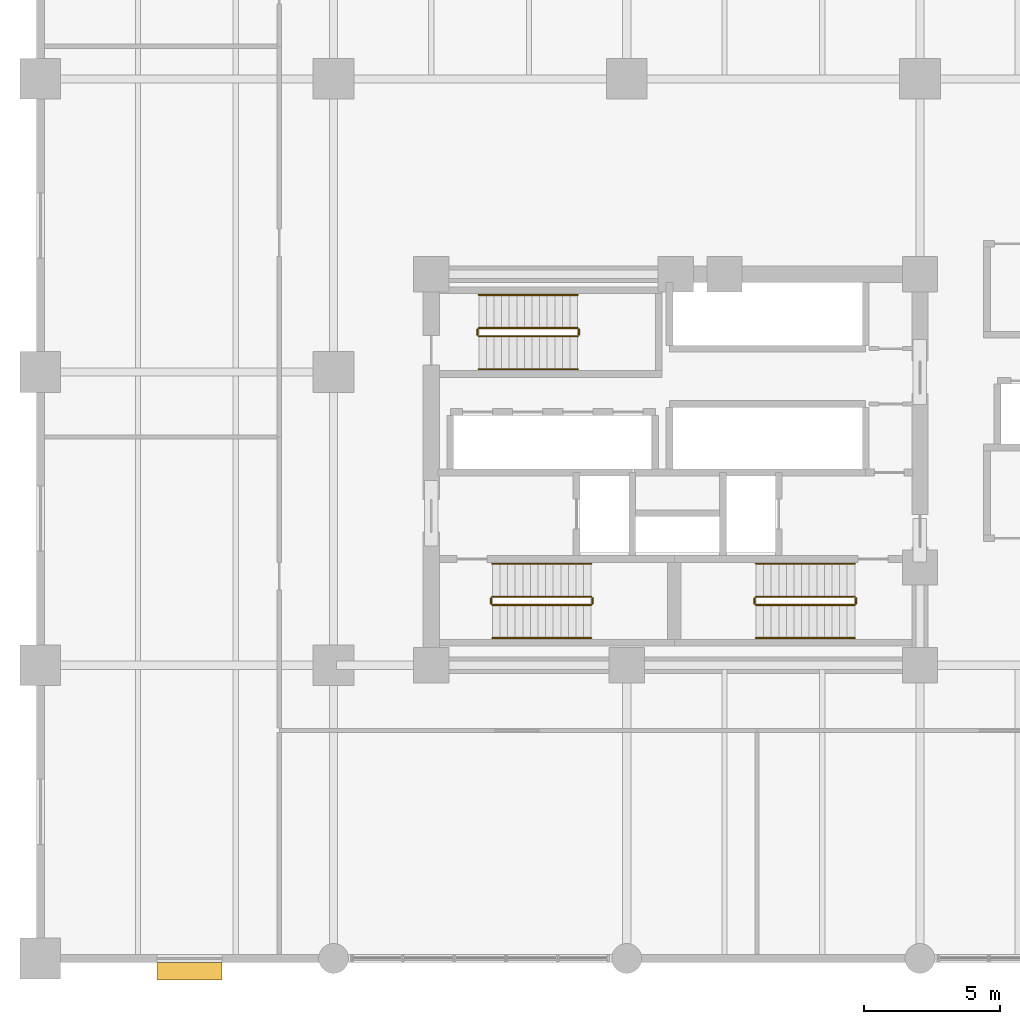
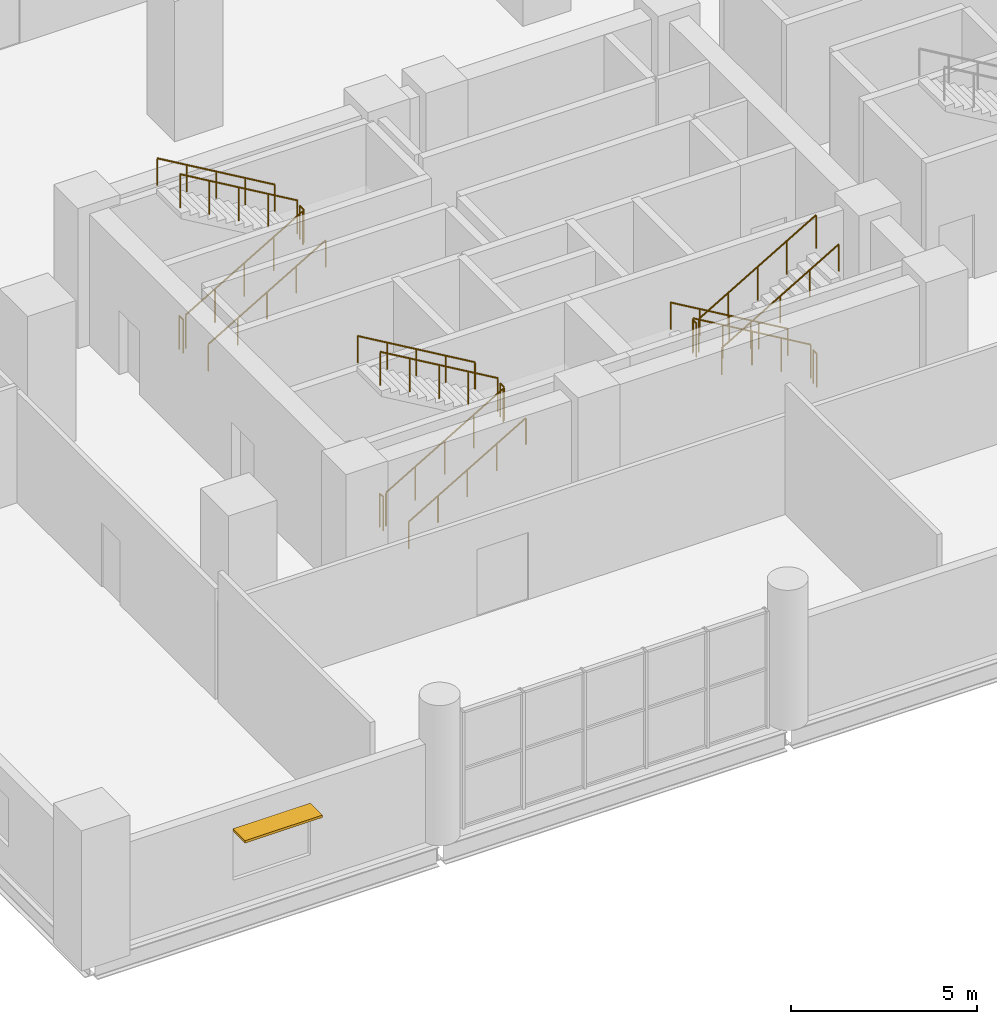
# One storey, part 14 of 16: 18 railings, 1 shading device.
"""IFC4 building model written with IfcOpenShell, lengths in metres."""

from ifc_helpers import new_model, si_unit, direction, frame, origin, origin_2d, place, context, subcontext, project, spatial, rectangle, circle, extrude, material, layer, layer_set, type_object, element, save


model = new_model("IFC4")

# Units and contexts
model_context = context("Model", 3, precision=1e-05, world=origin(), true_north=direction((0.0, 1.0)))
body_context = subcontext(model_context, "Body", "Model", "MODEL_VIEW")
ifc_project = project(units=[si_unit("LENGTHUNIT", "METRE"), si_unit("AREAUNIT", "SQUARE_METRE"), si_unit("VOLUMEUNIT", "CUBIC_METRE"), si_unit("PLANEANGLEUNIT", "RADIAN"), si_unit("MASSUNIT", "GRAM", prefix="KILO")], contexts=[model_context])

# Site, building, storey
site_placement = place(None, origin())
site = spatial("IfcSite", under=ifc_project, at=site_placement, CompositionType="ELEMENT")
building_placement = place(site_placement, origin())
building = spatial("IfcBuilding", under=site, at=building_placement, Name="Solnavia Interchange Tower", CompositionType="ELEMENT")
storey_placement = place(building_placement, frame((0.0, 0.0, 10.199951171875)))
storey = spatial("IfcBuildingStorey", under=building, at=storey_placement, Name="L02", CompositionType="ELEMENT", Elevation=10.199951171875)

# Railings
ifc_material_1 = material(Name="Painted Steel Balustrade", Category="steel")
railing_type_1 = type_object("IfcRailingType", Name="Railing-StairGuard-1100", PredefinedType="GUARDRAIL", material=ifc_material_1)
railing_1_placement = place(storey_placement, frame((16.64990234375, 13.02001953125, 0.164306640625)))
element("IfcRailing", 1, at=railing_1_placement, inside=storey, type_object=railing_type_1, Name="L02 ST-1 stair guard 1", PredefinedType="GUARDRAIL", context=body_context, shape_type="SweptSolid", body=[
    extrude(circle(Radius=0.02392578125, at=origin_2d()), frame((0.0, 0.0, 1.09619140625), z_axis=(0.862504707072, 0.0, 0.506049039401), x_axis=(0.0, 1.0, 0.0)), (0.0, 0.0, 1.0), 4.220458984375),
    extrude(circle(Radius=0.02099609375, at=origin_2d()), origin(), (0.0, 0.0, 1.0), 1.072021484375),
    extrude(circle(Radius=0.02099609375, at=origin_2d()), frame((0.91015625, 0.0, 0.533935546875)), (0.0, 0.0, 1.0), 1.072021484375),
    extrude(circle(Radius=0.02099609375, at=origin_2d()), frame((1.820068359375, 0.0, 1.06787109375)), (0.0, 0.0, 1.0), 1.072021484375),
    extrude(circle(Radius=0.02099609375, at=origin_2d()), frame((2.72998046875, 0.0, 1.601806640625)), (0.0, 0.0, 1.0), 1.072021484375),
    extrude(circle(Radius=0.02099609375, at=origin_2d()), frame((3.64013671875, 0.0, 2.1357421875)), (0.0, 0.0, 1.0), 1.072021484375),
])
railing_2_placement = place(storey_placement, frame((20.340087890625, 13.070068359375, 2.300048828125)))
element("IfcRailing", 2, at=railing_2_placement, inside=storey, type_object=railing_type_1, Name="L02 ST-1 stair guard 2", PredefinedType="GUARDRAIL", context=body_context, shape_type="SweptSolid", body=[
    extrude(circle(Radius=0.02392578125, at=origin_2d()), frame((0.0, 0.0, 1.09619140625), z_axis=(0.0, 1.0, 0.0), x_axis=(-1.0, 0.0, 0.0)), (0.0, 0.0, 1.0), 0.199951171875),
    extrude(circle(Radius=0.02099609375, at=origin_2d()), origin(), (0.0, 0.0, 1.0), 1.072021484375),
    extrude(circle(Radius=0.02099609375, at=origin_2d()), frame((0.0, 0.199951171875, 0.0)), (0.0, 0.0, 1.0), 1.072021484375),
])
railing_3_placement = place(storey_placement, frame((20.2900390625, 13.320068359375, 2.46435546875)))
element("IfcRailing", 3, at=railing_3_placement, inside=storey, type_object=railing_type_1, Name="L02 ST-1 stair guard 3", PredefinedType="GUARDRAIL", context=body_context, shape_type="SweptSolid", body=[
    extrude(circle(Radius=0.02392578125, at=origin_2d()), frame((0.0, 0.0, 1.09619140625), z_axis=(-0.862504707072, 0.0, 0.506049039401), x_axis=(0.0, -1.0, 0.0)), (0.0, 0.0, 1.0), 4.220458984375),
    extrude(circle(Radius=0.02099609375, at=origin_2d()), origin(), (0.0, 0.0, 1.0), 1.072021484375),
    extrude(circle(Radius=0.02099609375, at=origin_2d()), frame((-0.91015625, 0.0, 0.533935546875)), (0.0, 0.0, 1.0), 1.072021484375),
    extrude(circle(Radius=0.02099609375, at=origin_2d()), frame((-1.820068359375, 0.0, 1.06787109375)), (0.0, 0.0, 1.0), 1.072021484375),
    extrude(circle(Radius=0.02099609375, at=origin_2d()), frame((-2.72998046875, 0.0, 1.601806640625)), (0.0, 0.0, 1.0), 1.072021484375),
    extrude(circle(Radius=0.02099609375, at=origin_2d()), frame((-3.64013671875, 0.0, 2.1357421875)), (0.0, 0.0, 1.0), 1.072021484375),
])
railing_4_placement = place(storey_placement, frame((16.60009765625, 13.070068359375, 0.0)))
element("IfcRailing", 4, at=railing_4_placement, inside=storey, type_object=railing_type_1, Name="L02 ST-1 stair guard 4", PredefinedType="GUARDRAIL", context=body_context, shape_type="SweptSolid", body=[
    extrude(circle(Radius=0.02392578125, at=origin_2d()), frame((0.0, 0.0, 1.09619140625), z_axis=(0.0, 1.0, 0.0), x_axis=(-1.0, 0.0, 0.0)), (0.0, 0.0, 1.0), 0.199951171875),
    extrude(circle(Radius=0.02099609375, at=origin_2d()), origin(), (0.0, 0.0, 1.0), 1.072021484375),
    extrude(circle(Radius=0.02099609375, at=origin_2d()), frame((0.0, 0.199951171875, 0.0)), (0.0, 0.0, 1.0), 1.072021484375),
])
railing_5_placement = place(storey_placement, frame((30.0, 13.320068359375, 0.164306640625)))
element("IfcRailing", 5, at=railing_5_placement, inside=storey, type_object=railing_type_1, Name="L02 ST-2 stair guard 1", PredefinedType="GUARDRAIL", context=body_context, shape_type="SweptSolid", body=[
    extrude(circle(Radius=0.02392578125, at=origin_2d()), frame((0.0, 0.0, 1.09619140625), z_axis=(-0.862489892076, 0.0, 0.506074289079), x_axis=(0.0, -1.0, 0.0)), (0.0, 0.0, 1.0), 4.22021484375),
    extrude(circle(Radius=0.02099609375, at=origin_2d()), origin(), (0.0, 0.0, 1.0), 1.072021484375),
    extrude(circle(Radius=0.02099609375, at=origin_2d()), frame((-0.909912109375, 0.0, 0.533935546875)), (0.0, 0.0, 1.0), 1.072021484375),
    extrude(circle(Radius=0.02099609375, at=origin_2d()), frame((-1.81982421875, 0.0, 1.06787109375)), (0.0, 0.0, 1.0), 1.072021484375),
    extrude(circle(Radius=0.02099609375, at=origin_2d()), frame((-2.72998046875, 0.0, 1.601806640625)), (0.0, 0.0, 1.0), 1.072021484375),
    extrude(circle(Radius=0.02099609375, at=origin_2d()), frame((-3.639892578125, 0.0, 2.1357421875)), (0.0, 0.0, 1.0), 1.072021484375),
])
railing_6_placement = place(storey_placement, frame((26.31005859375, 13.27001953125, 2.300048828125)))
element("IfcRailing", 6, at=railing_6_placement, inside=storey, type_object=railing_type_1, Name="L02 ST-2 stair guard 2", PredefinedType="GUARDRAIL", context=body_context, shape_type="SweptSolid", body=[
    extrude(circle(Radius=0.02392578125, at=origin_2d()), frame((0.0, 0.0, 1.09619140625), z_axis=(0.0, -1.0, 0.0), x_axis=(1.0, 0.0, 0.0)), (0.0, 0.0, 1.0), 0.199951171875),
    extrude(circle(Radius=0.02099609375, at=origin_2d()), origin(), (0.0, 0.0, 1.0), 1.072021484375),
    extrude(circle(Radius=0.02099609375, at=origin_2d()), frame((0.0, -0.199951171875, 0.0)), (0.0, 0.0, 1.0), 1.072021484375),
])
railing_7_placement = place(storey_placement, frame((26.360107421875, 13.02001953125, 2.46435546875)))
element("IfcRailing", 7, at=railing_7_placement, inside=storey, type_object=railing_type_1, Name="L02 ST-2 stair guard 3", PredefinedType="GUARDRAIL", context=body_context, shape_type="SweptSolid", body=[
    extrude(circle(Radius=0.02392578125, at=origin_2d()), frame((0.0, 0.0, 1.09619140625), z_axis=(0.862489892076, 0.0, 0.506074289079), x_axis=(0.0, 1.0, 0.0)), (0.0, 0.0, 1.0), 4.22021484375),
    extrude(circle(Radius=0.02099609375, at=origin_2d()), origin(), (0.0, 0.0, 1.0), 1.072021484375),
    extrude(circle(Radius=0.02099609375, at=origin_2d()), frame((0.909912109375, 0.0, 0.533935546875)), (0.0, 0.0, 1.0), 1.072021484375),
    extrude(circle(Radius=0.02099609375, at=origin_2d()), frame((1.81982421875, 0.0, 1.06787109375)), (0.0, 0.0, 1.0), 1.072021484375),
    extrude(circle(Radius=0.02099609375, at=origin_2d()), frame((2.72998046875, 0.0, 1.601806640625)), (0.0, 0.0, 1.0), 1.072021484375),
    extrude(circle(Radius=0.02099609375, at=origin_2d()), frame((3.639892578125, 0.0, 2.1357421875)), (0.0, 0.0, 1.0), 1.072021484375),
])
railing_8_placement = place(storey_placement, frame((30.050048828125, 13.27001953125, 0.0)))
element("IfcRailing", 8, at=railing_8_placement, inside=storey, type_object=railing_type_1, Name="L02 ST-2 stair guard 4", PredefinedType="GUARDRAIL", context=body_context, shape_type="SweptSolid", body=[
    extrude(circle(Radius=0.02392578125, at=origin_2d()), frame((0.0, 0.0, 1.09619140625), z_axis=(0.0, -1.0, 0.0), x_axis=(1.0, 0.0, 0.0)), (0.0, 0.0, 1.0), 0.199951171875),
    extrude(circle(Radius=0.02099609375, at=origin_2d()), origin(), (0.0, 0.0, 1.0), 1.072021484375),
    extrude(circle(Radius=0.02099609375, at=origin_2d()), frame((0.0, -0.199951171875, 0.0)), (0.0, 0.0, 1.0), 1.072021484375),
])
railing_9_placement = place(storey_placement, frame((16.14990234375, 22.919921875, 0.164306640625)))
element("IfcRailing", 9, at=railing_9_placement, inside=storey, type_object=railing_type_1, Name="L02 ST-3 stair guard 1", PredefinedType="GUARDRAIL", context=body_context, shape_type="SweptSolid", body=[
    extrude(circle(Radius=0.02392578125, at=origin_2d()), frame((0.0, 0.0, 1.09619140625), z_axis=(0.862504707072, 0.0, 0.506049039401), x_axis=(0.0, 1.0, 0.0)), (0.0, 0.0, 1.0), 4.220458984375),
    extrude(circle(Radius=0.02099609375, at=origin_2d()), origin(), (0.0, 0.0, 1.0), 1.072021484375),
    extrude(circle(Radius=0.02099609375, at=origin_2d()), frame((0.91015625, 0.0, 0.533935546875)), (0.0, 0.0, 1.0), 1.072021484375),
    extrude(circle(Radius=0.02099609375, at=origin_2d()), frame((1.820068359375, 0.0, 1.06787109375)), (0.0, 0.0, 1.0), 1.072021484375),
    extrude(circle(Radius=0.02099609375, at=origin_2d()), frame((2.72998046875, 0.0, 1.601806640625)), (0.0, 0.0, 1.0), 1.072021484375),
    extrude(circle(Radius=0.02099609375, at=origin_2d()), frame((3.64013671875, 0.0, 2.1357421875)), (0.0, 0.0, 1.0), 1.072021484375),
])
railing_10_placement = place(storey_placement, frame((19.840087890625, 22.969970703125, 2.300048828125)))
element("IfcRailing", 10, at=railing_10_placement, inside=storey, type_object=railing_type_1, Name="L02 ST-3 stair guard 2", PredefinedType="GUARDRAIL", context=body_context, shape_type="SweptSolid", body=[
    extrude(circle(Radius=0.02392578125, at=origin_2d()), frame((0.0, 0.0, 1.09619140625), z_axis=(0.0, 1.0, 0.0), x_axis=(-1.0, 0.0, 0.0)), (0.0, 0.0, 1.0), 0.199951171875),
    extrude(circle(Radius=0.02099609375, at=origin_2d()), origin(), (0.0, 0.0, 1.0), 1.072021484375),
    extrude(circle(Radius=0.02099609375, at=origin_2d()), frame((0.0, 0.199951171875, 0.0)), (0.0, 0.0, 1.0), 1.072021484375),
])
railing_11_placement = place(storey_placement, frame((19.7900390625, 23.219970703125, 2.46435546875)))
element("IfcRailing", 11, at=railing_11_placement, inside=storey, type_object=railing_type_1, Name="L02 ST-3 stair guard 3", PredefinedType="GUARDRAIL", context=body_context, shape_type="SweptSolid", body=[
    extrude(circle(Radius=0.02392578125, at=origin_2d()), frame((0.0, 0.0, 1.09619140625), z_axis=(-0.862504707072, 0.0, 0.506049039401), x_axis=(0.0, -1.0, 0.0)), (0.0, 0.0, 1.0), 4.220458984375),
    extrude(circle(Radius=0.02099609375, at=origin_2d()), origin(), (0.0, 0.0, 1.0), 1.072021484375),
    extrude(circle(Radius=0.02099609375, at=origin_2d()), frame((-0.91015625, 0.0, 0.533935546875)), (0.0, 0.0, 1.0), 1.072021484375),
    extrude(circle(Radius=0.02099609375, at=origin_2d()), frame((-1.820068359375, 0.0, 1.06787109375)), (0.0, 0.0, 1.0), 1.072021484375),
    extrude(circle(Radius=0.02099609375, at=origin_2d()), frame((-2.72998046875, 0.0, 1.601806640625)), (0.0, 0.0, 1.0), 1.072021484375),
    extrude(circle(Radius=0.02099609375, at=origin_2d()), frame((-3.64013671875, 0.0, 2.1357421875)), (0.0, 0.0, 1.0), 1.072021484375),
])
railing_12_placement = place(storey_placement, frame((16.10009765625, 22.969970703125, 0.0)))
element("IfcRailing", 12, at=railing_12_placement, inside=storey, type_object=railing_type_1, Name="L02 ST-3 stair guard 4", PredefinedType="GUARDRAIL", context=body_context, shape_type="SweptSolid", body=[
    extrude(circle(Radius=0.02392578125, at=origin_2d()), frame((0.0, 0.0, 1.09619140625), z_axis=(0.0, 1.0, 0.0), x_axis=(-1.0, 0.0, 0.0)), (0.0, 0.0, 1.0), 0.199951171875),
    extrude(circle(Radius=0.02099609375, at=origin_2d()), origin(), (0.0, 0.0, 1.0), 1.072021484375),
    extrude(circle(Radius=0.02099609375, at=origin_2d()), frame((0.0, 0.199951171875, 0.0)), (0.0, 0.0, 1.0), 1.072021484375),
])
ifc_material_2 = material(Name="Brushed Stainless Steel", Category="steel")
railing_type_2 = type_object("IfcRailingType", Name="Railing-StairHandrail-900", PredefinedType="HANDRAIL", material=ifc_material_2)
railing_13_placement = place(storey_placement, frame((16.64990234375, 11.800048828125, 0.164306640625)))
element("IfcRailing", 13, at=railing_13_placement, inside=storey, type_object=railing_type_2, Name="L02 ST-1 stair handrail 1", PredefinedType="HANDRAIL", context=body_context, shape_type="SweptSolid", body=[
    extrude(circle(Radius=0.02392578125, at=origin_2d()), frame((0.0, 0.0, 0.8759765625), z_axis=(0.862504707072, 0.0, 0.506049039401), x_axis=(0.0, 1.0, 0.0)), (0.0, 0.0, 1.0), 4.220458984375),
    extrude(circle(Radius=0.02099609375, at=origin_2d()), origin(), (0.0, 0.0, 1.0), 0.851806640625),
    extrude(circle(Radius=0.02099609375, at=origin_2d()), frame((0.91015625, 0.0, 0.533935546875)), (0.0, 0.0, 1.0), 0.851806640625),
    extrude(circle(Radius=0.02099609375, at=origin_2d()), frame((1.820068359375, 0.0, 1.06787109375)), (0.0, 0.0, 1.0), 0.851806640625),
    extrude(circle(Radius=0.02099609375, at=origin_2d()), frame((2.72998046875, 0.0, 1.601806640625)), (0.0, 0.0, 1.0), 0.851806640625),
    extrude(circle(Radius=0.02099609375, at=origin_2d()), frame((3.64013671875, 0.0, 2.1357421875)), (0.0, 0.0, 1.0), 0.851806640625),
])
railing_14_placement = place(storey_placement, frame((20.2900390625, 14.5400390625, 2.46435546875)))
element("IfcRailing", 14, at=railing_14_placement, inside=storey, type_object=railing_type_2, Name="L02 ST-1 stair handrail 2", PredefinedType="HANDRAIL", context=body_context, shape_type="SweptSolid", body=[
    extrude(circle(Radius=0.02392578125, at=origin_2d()), frame((0.0, 0.0, 0.8759765625), z_axis=(-0.862504707072, 0.0, 0.506049039401), x_axis=(0.0, -1.0, 0.0)), (0.0, 0.0, 1.0), 4.220458984375),
    extrude(circle(Radius=0.02099609375, at=origin_2d()), origin(), (0.0, 0.0, 1.0), 0.851806640625),
    extrude(circle(Radius=0.02099609375, at=origin_2d()), frame((-0.91015625, 0.0, 0.533935546875)), (0.0, 0.0, 1.0), 0.851806640625),
    extrude(circle(Radius=0.02099609375, at=origin_2d()), frame((-1.820068359375, 0.0, 1.06787109375)), (0.0, 0.0, 1.0), 0.851806640625),
    extrude(circle(Radius=0.02099609375, at=origin_2d()), frame((-2.72998046875, 0.0, 1.601806640625)), (0.0, 0.0, 1.0), 0.851806640625),
    extrude(circle(Radius=0.02099609375, at=origin_2d()), frame((-3.64013671875, 0.0, 2.1357421875)), (0.0, 0.0, 1.0), 0.851806640625),
])
railing_15_placement = place(storey_placement, frame((30.0, 14.5400390625, 0.164306640625)))
element("IfcRailing", 15, at=railing_15_placement, inside=storey, type_object=railing_type_2, Name="L02 ST-2 stair handrail 1", PredefinedType="HANDRAIL", context=body_context, shape_type="SweptSolid", body=[
    extrude(circle(Radius=0.02392578125, at=origin_2d()), frame((0.0, 0.0, 0.8759765625), z_axis=(-0.862489892076, 0.0, 0.506074289079), x_axis=(0.0, -1.0, 0.0)), (0.0, 0.0, 1.0), 4.22021484375),
    extrude(circle(Radius=0.02099609375, at=origin_2d()), origin(), (0.0, 0.0, 1.0), 0.851806640625),
    extrude(circle(Radius=0.02099609375, at=origin_2d()), frame((-0.909912109375, 0.0, 0.533935546875)), (0.0, 0.0, 1.0), 0.851806640625),
    extrude(circle(Radius=0.02099609375, at=origin_2d()), frame((-1.81982421875, 0.0, 1.06787109375)), (0.0, 0.0, 1.0), 0.851806640625),
    extrude(circle(Radius=0.02099609375, at=origin_2d()), frame((-2.72998046875, 0.0, 1.601806640625)), (0.0, 0.0, 1.0), 0.851806640625),
    extrude(circle(Radius=0.02099609375, at=origin_2d()), frame((-3.639892578125, 0.0, 2.1357421875)), (0.0, 0.0, 1.0), 0.851806640625),
])
railing_16_placement = place(storey_placement, frame((26.360107421875, 11.800048828125, 2.46435546875)))
element("IfcRailing", 16, at=railing_16_placement, inside=storey, type_object=railing_type_2, Name="L02 ST-2 stair handrail 2", PredefinedType="HANDRAIL", context=body_context, shape_type="SweptSolid", body=[
    extrude(circle(Radius=0.02392578125, at=origin_2d()), frame((0.0, 0.0, 0.8759765625), z_axis=(0.862489892076, 0.0, 0.506074289079), x_axis=(0.0, 1.0, 0.0)), (0.0, 0.0, 1.0), 4.22021484375),
    extrude(circle(Radius=0.02099609375, at=origin_2d()), origin(), (0.0, 0.0, 1.0), 0.851806640625),
    extrude(circle(Radius=0.02099609375, at=origin_2d()), frame((0.909912109375, 0.0, 0.533935546875)), (0.0, 0.0, 1.0), 0.851806640625),
    extrude(circle(Radius=0.02099609375, at=origin_2d()), frame((1.81982421875, 0.0, 1.06787109375)), (0.0, 0.0, 1.0), 0.851806640625),
    extrude(circle(Radius=0.02099609375, at=origin_2d()), frame((2.72998046875, 0.0, 1.601806640625)), (0.0, 0.0, 1.0), 0.851806640625),
    extrude(circle(Radius=0.02099609375, at=origin_2d()), frame((3.639892578125, 0.0, 2.1357421875)), (0.0, 0.0, 1.0), 0.851806640625),
])
railing_17_placement = place(storey_placement, frame((16.14990234375, 21.699951171875, 0.164306640625)))
element("IfcRailing", 17, at=railing_17_placement, inside=storey, type_object=railing_type_2, Name="L02 ST-3 stair handrail 1", PredefinedType="HANDRAIL", context=body_context, shape_type="SweptSolid", body=[
    extrude(circle(Radius=0.02392578125, at=origin_2d()), frame((0.0, 0.0, 0.8759765625), z_axis=(0.862504707072, 0.0, 0.506049039401), x_axis=(0.0, 1.0, 0.0)), (0.0, 0.0, 1.0), 4.220458984375),
    extrude(circle(Radius=0.02099609375, at=origin_2d()), origin(), (0.0, 0.0, 1.0), 0.851806640625),
    extrude(circle(Radius=0.02099609375, at=origin_2d()), frame((0.91015625, 0.0, 0.533935546875)), (0.0, 0.0, 1.0), 0.851806640625),
    extrude(circle(Radius=0.02099609375, at=origin_2d()), frame((1.820068359375, 0.0, 1.06787109375)), (0.0, 0.0, 1.0), 0.851806640625),
    extrude(circle(Radius=0.02099609375, at=origin_2d()), frame((2.72998046875, 0.0, 1.601806640625)), (0.0, 0.0, 1.0), 0.851806640625),
    extrude(circle(Radius=0.02099609375, at=origin_2d()), frame((3.64013671875, 0.0, 2.1357421875)), (0.0, 0.0, 1.0), 0.851806640625),
])
railing_18_placement = place(storey_placement, frame((19.7900390625, 24.43994140625, 2.46435546875)))
element("IfcRailing", 18, at=railing_18_placement, inside=storey, type_object=railing_type_2, Name="L02 ST-3 stair handrail 2", PredefinedType="HANDRAIL", context=body_context, shape_type="SweptSolid", body=[
    extrude(circle(Radius=0.02392578125, at=origin_2d()), frame((0.0, 0.0, 0.8759765625), z_axis=(-0.862504707072, 0.0, 0.506049039401), x_axis=(0.0, -1.0, 0.0)), (0.0, 0.0, 1.0), 4.220458984375),
    extrude(circle(Radius=0.02099609375, at=origin_2d()), origin(), (0.0, 0.0, 1.0), 0.851806640625),
    extrude(circle(Radius=0.02099609375, at=origin_2d()), frame((-0.91015625, 0.0, 0.533935546875)), (0.0, 0.0, 1.0), 0.851806640625),
    extrude(circle(Radius=0.02099609375, at=origin_2d()), frame((-1.820068359375, 0.0, 1.06787109375)), (0.0, 0.0, 1.0), 0.851806640625),
    extrude(circle(Radius=0.02099609375, at=origin_2d()), frame((-2.72998046875, 0.0, 1.601806640625)), (0.0, 0.0, 1.0), 0.851806640625),
    extrude(circle(Radius=0.02099609375, at=origin_2d()), frame((-3.64013671875, 0.0, 2.1357421875)), (0.0, 0.0, 1.0), 0.851806640625),
])

# Shading device
ifc_material_3 = material(Name="Anodised Aluminium Sunshade", Category="aluminium")
ifc_layer = layer(ifc_material_3, 0.080078125)
ifc_layer_set = layer_set([ifc_layer], Name="Anodised Aluminium Sunshade")
shading_device_type = type_object("IfcShadingDeviceType", Name="Sunshade-Band-650", PredefinedType="SHUTTER", material=ifc_layer_set)
shading_device_placement = place(storey_placement, frame((5.5, -0.469970703125, 2.4599609375), z_axis=(0.0, 0.0, 1.0), x_axis=(1.0, 0.0, 0.0)))
element("IfcShadingDevice", 19, at=shading_device_placement, inside=storey, type_object=shading_device_type, Name="SHD-L02-S01 South horizontal sunshade band", PredefinedType="SHUTTER", context=body_context, shape_type="SweptSolid", body=[
    extrude(rectangle(XDim=2.39990234375, YDim=0.64990234375, at=origin_2d()), origin(), (0.0, 0.0, 1.0), 0.080078125),
])

save(model, "model.ifc")
